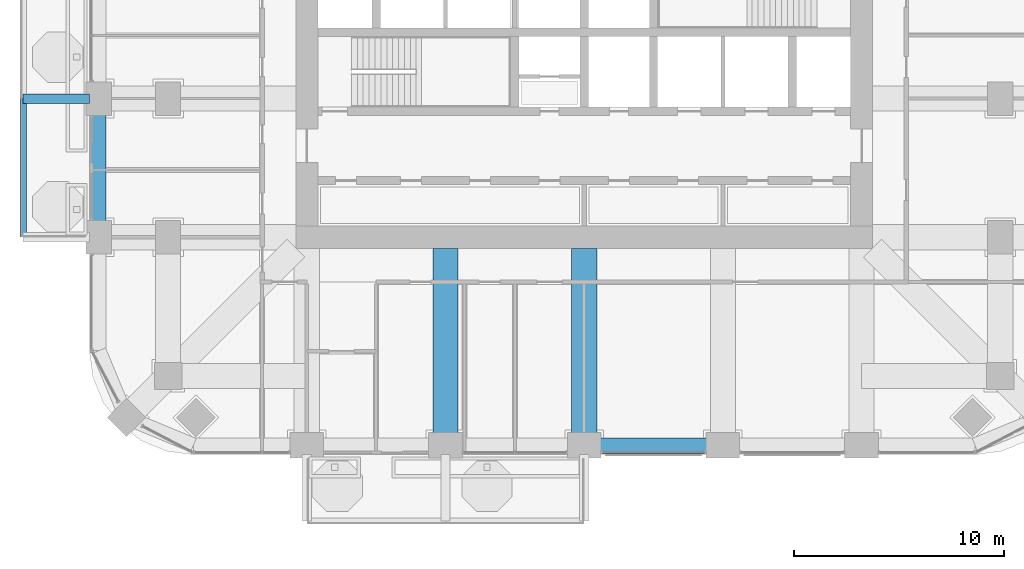
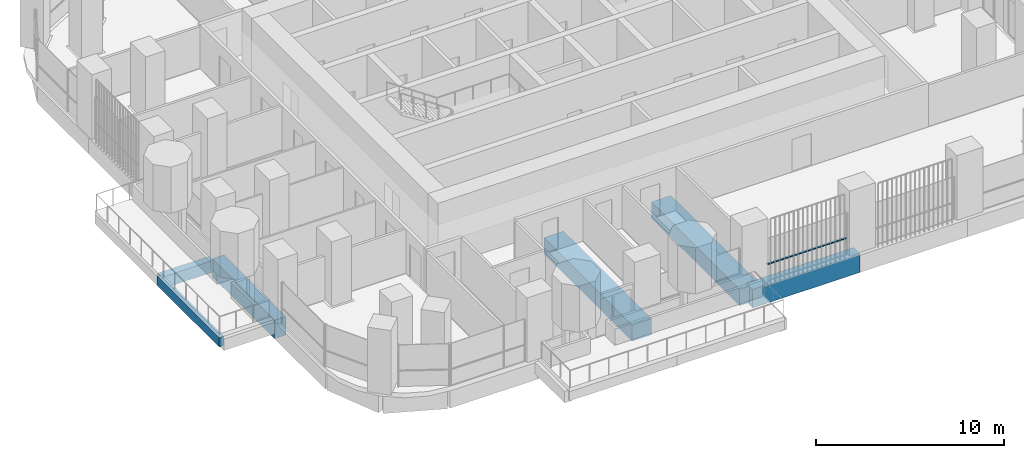
# One storey, part 3 of 19: 6 beams, 1 member, 1 element without a shape of its own.
"""IFC4 building model written with IfcOpenShell, lengths in metres."""

from ifc_helpers import new_model, si_unit, direction, frame, origin, origin_2d, place, context, subcontext, project, spatial, rectangle, extrude, material, material_profile, profile_set, type_object, element, aggregate, save


model = new_model("IFC4")

# Units and contexts
model_context = context("Model", 3, precision=1e-05, world=origin(), true_north=direction((0.0, 1.0)))
body_context = subcontext(model_context, "Body", "Model", "MODEL_VIEW")
ifc_project = project(units=[si_unit("LENGTHUNIT", "METRE"), si_unit("AREAUNIT", "SQUARE_METRE"), si_unit("VOLUMEUNIT", "CUBIC_METRE"), si_unit("PLANEANGLEUNIT", "RADIAN"), si_unit("MASSUNIT", "GRAM", prefix="KILO")], contexts=[model_context])

# Site, building, storey
site_placement = place(None, origin())
site = spatial("IfcSite", under=ifc_project, at=site_placement, CompositionType="ELEMENT")
building_placement = place(site_placement, origin())
building = spatial("IfcBuilding", under=site, at=building_placement, Name="Cobogo Forest Laboratory Tower", CompositionType="ELEMENT")
storey_placement = place(building_placement, frame((0.0, 0.0, 159.89990234375)))
storey = spatial("IfcBuildingStorey", under=building, at=storey_placement, Name="L36", CompositionType="ELEMENT", Elevation=159.89990234375)

# Beams
ifc_material_1 = material(Name="Concrete HA-40 (C40/50)", Category="concrete")
ifc_material_profile_1 = material_profile(ifc_material_1, rectangle(XDim=0.449951171875, YDim=0.75, at=origin_2d()), Name="RC 450x750")
ifc_profile_set_1 = profile_set([ifc_material_profile_1], Name="Concrete HA-40 (C40/50)")
beam_type_1 = type_object("IfcBeamType", Name="Balcony cantilever beam 450x750", PredefinedType="BEAM", material=ifc_profile_set_1)
beam_1_placement = place(storey_placement, frame((2.85009765625, 19.800048828125, -0.625), z_axis=(-1.0, 0.0, 0.0), x_axis=(0.0, -1.0, 0.0)))
element("IfcBeam", 1, at=beam_1_placement, inside=storey, type_object=beam_type_1, Name="CB1 BAL-W1-C2 L36", PredefinedType="BEAM", context=body_context, shape_type="SweptSolid", body=[
    extrude(rectangle(XDim=0.449951171875, YDim=0.75, at=origin_2d()), origin(), (0.0, 0.0, 1.0), 3.150146484375),
])
ifc_material_profile_2 = material_profile(ifc_material_1, rectangle(XDim=0.300048828125, YDim=0.60009765625, at=origin_2d()), Name="RC 300x600")
ifc_profile_set_2 = profile_set([ifc_material_profile_2], Name="Concrete HA-40 (C40/50)")
beam_type_2 = type_object("IfcBeamType", Name="Balcony edge beam 300x600", PredefinedType="BEAM", material=ifc_profile_set_2)
beam_2_placement = place(storey_placement, frame((-0.300048828125, 13.199951171875, -0.5498046875), z_axis=(0.0, 1.0, 0.0), x_axis=(-1.0, 0.0, 0.0)))
element("IfcBeam", 2, at=beam_2_placement, inside=storey, type_object=beam_type_2, Name="BB1 BAL-W1-T1 L36", PredefinedType="BEAM", context=body_context, shape_type="SweptSolid", body=[
    extrude(rectangle(XDim=0.300048828125, YDim=0.60009765625, at=origin_2d()), origin(), (0.0, 0.0, 1.0), 6.60009765625),
])
ifc_material_profile_3 = material_profile(ifc_material_1, rectangle(XDim=1.199951171875, YDim=1.050048828125, at=origin_2d()), Name="RC 1200x1050")
ifc_profile_set_3 = profile_set([ifc_material_profile_3], Name="Concrete HA-40 (C40/50)")
beam_type_3 = type_object("IfcBeamType", Name="Laboratory floor wide beam 1200x1050", PredefinedType="BEAM", material=ifc_profile_set_3)
for number, where, z_axis, x_axis, name in (
    (3, (19.800048828125, 12.675048828125, -0.824951171875), (0.0, -1.0, 0.0), (1.0, 0.0, 0.0), "RB1 R-4-S L36"),
    (4, (26.39990234375, 12.675048828125, -0.824951171875), (0.0, -1.0, 0.0), (1.0, 0.0, 0.0), "RB1 R-5-S L36"),
):
    element("IfcBeam", number, at=place(storey_placement, frame(where, z_axis=z_axis, x_axis=x_axis)), inside=storey, type_object=beam_type_3, Name=name, PredefinedType="BEAM", context=body_context, shape_type="SweptSolid", body=[
        extrude(rectangle(XDim=1.199951171875, YDim=1.050048828125, at=origin_2d()), origin(), (0.0, 0.0, 1.0), 9.375),
    ])
ifc_material_profile_4 = material_profile(ifc_material_1, rectangle(XDim=0.699951171875, YDim=1.199951171875, at=origin_2d()), Name="RC 700x1200")
ifc_profile_set_4 = profile_set([ifc_material_profile_4], Name="Concrete HA-40 (C40/50)")
beam_type_4 = type_object("IfcBeamType", Name="Perimeter edge beam 700x1200", PredefinedType="BEAM", material=ifc_profile_set_4)
for number, where, z_axis, x_axis, name in (
    (5, (26.39990234375, 3.300048828125, -0.89990234375), (1.0, 0.0, 0.0), (0.0, 1.0, 0.0), "EB1 E-S3 L36"),
    (6, (3.300048828125, 13.199951171875, -0.89990234375), (0.0, 1.0, 0.0), (-1.0, 0.0, 0.0), "EB1 E-W1 L36"),
):
    element("IfcBeam", number, at=place(storey_placement, frame(where, z_axis=z_axis, x_axis=x_axis)), inside=storey, type_object=beam_type_4, Name=name, PredefinedType="BEAM", context=body_context, shape_type="SweptSolid", body=[
        extrude(rectangle(XDim=0.699951171875, YDim=1.199951171875, at=origin_2d()), origin(), (0.0, 0.0, 1.0), 6.60009765625),
    ])

# Curtain wall, member
ifc_material_2 = material(Name="Aluminium curtain wall", Category="aluminium")
curtain_wall_type = type_object("IfcCurtainWallType", Name="CW-2 unitised curtain wall, solar control glazing, laboratory floors zones C and D", PredefinedType="USERDEFINED", material=ifc_material_2)
curtain_wall_placement = place(storey_placement, origin())
curtain_wall = element("IfcCurtainWall", 7, at=curtain_wall_placement, inside=storey, type_object=curtain_wall_type, Name="Curtain wall 04 L36", ObjectType="UNITISED CURTAIN WALL", PredefinedType="USERDEFINED")
ifc_material_3 = material(Name="Aluminium transom", Category="aluminium")
ifc_material_profile_5 = material_profile(ifc_material_3, rectangle(XDim=0.1201171875, YDim=0.06005859375, at=origin_2d()), Name="AL 60x120")
ifc_profile_set_5 = profile_set([ifc_material_profile_5], Name="Aluminium transom")
member_type = type_object("IfcMemberType", Name="TR-1 aluminium transom 60x120", PredefinedType="USERDEFINED", material=ifc_profile_set_5)
member_placement = place(storey_placement, frame((27.260009765625, 2.949951171875, 1.050048828125), z_axis=(1.0, 0.0, 0.0), x_axis=(0.0, 1.0, 0.0)))
member = element("IfcMember", 8, at=member_placement, type_object=member_type, Name="CW-2 transom 1.1", ObjectType="TRANSOM", PredefinedType="USERDEFINED", context=body_context, shape_type="SweptSolid", body=[
    extrude(rectangle(XDim=0.1201171875, YDim=0.06005859375, at=origin_2d()), origin(), (0.0, 0.0, 1.0), 4.8798828125),
])
aggregate(curtain_wall, [member])

save(model, "model.ifc")
